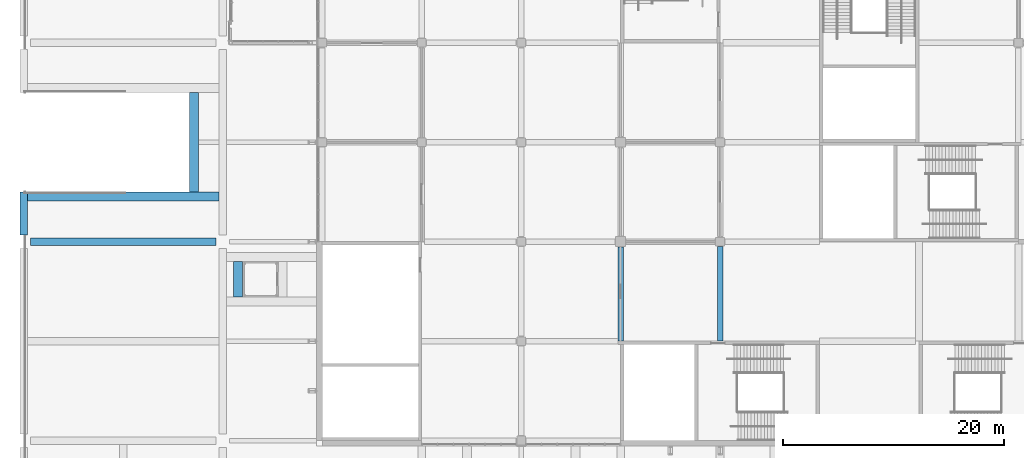
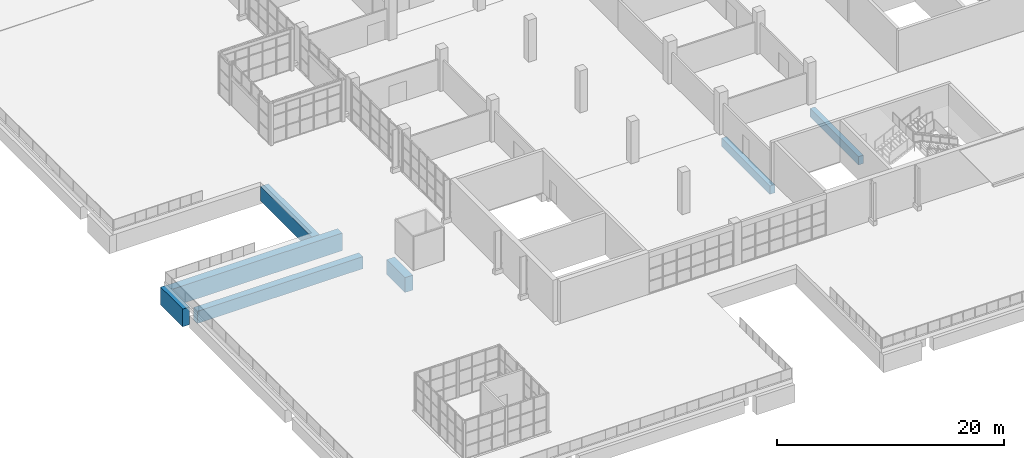
# One storey, part 20 of 168: 7 beams.
"""IFC4 building model written with IfcOpenShell, lengths in metres."""

from ifc_helpers import new_model, si_unit, direction, frame, origin, origin_2d, place, context, subcontext, project, spatial, rectangle, extrude, material, material_profile, profile_set, type_object, element, save


model = new_model("IFC4")

# Units and contexts
model_context = context("Model", 3, precision=1e-05, world=origin(), true_north=direction((0.0, 1.0)))
body_context = subcontext(model_context, "Body", "Model", "MODEL_VIEW")
ifc_project = project(units=[si_unit("LENGTHUNIT", "METRE"), si_unit("AREAUNIT", "SQUARE_METRE"), si_unit("VOLUMEUNIT", "CUBIC_METRE"), si_unit("PLANEANGLEUNIT", "RADIAN"), si_unit("MASSUNIT", "GRAM", prefix="KILO")], contexts=[model_context])

# Site, building, storey
site_placement = place(None, origin())
site = spatial("IfcSite", under=ifc_project, at=site_placement, CompositionType="ELEMENT")
building_placement = place(site_placement, origin())
building = spatial("IfcBuilding", under=site, at=building_placement, Name="Silverbay Arena", CompositionType="ELEMENT")
storey_placement = place(building_placement, frame((0.0, 0.0, 7.0)))
storey = spatial("IfcBuildingStorey", under=building, at=storey_placement, Name="L01", CompositionType="ELEMENT", Elevation=7.0)

# Beams
ifc_material_1 = material(Name="Concrete Grade C45", Category="concrete")
ifc_material_profile_1 = material_profile(ifc_material_1, rectangle(XDim=0.5, YDim=0.89990234375, at=origin_2d()), Name="RC 500x900")
ifc_profile_set_1 = profile_set([ifc_material_profile_1], Name="Concrete Grade C45")
beam_type_1 = type_object("IfcBeamType", Name="RC beam 500x900", PredefinedType="BEAM", material=ifc_profile_set_1)
beam_1_placement = place(storey_placement, frame((54.0, 27.0, -0.800048828125), z_axis=(0.0, 1.0, 0.0), x_axis=(-1.0, 0.0, 0.0)))
element("IfcBeam", 1, at=beam_1_placement, inside=storey, type_object=beam_type_1, Name="Floor beam L01 215", PredefinedType="BEAM", context=body_context, shape_type="SweptSolid", body=[
    extrude(rectangle(XDim=0.5, YDim=0.89990234375, at=origin_2d()), origin(), (0.0, 0.0, 1.0), 8.5),
])
beam_2_placement = place(storey_placement, frame((63.0, 27.0, -0.800048828125), z_axis=(0.0, 1.0, 0.0), x_axis=(-1.0, 0.0, 0.0)))
element("IfcBeam", 2, at=beam_2_placement, inside=storey, type_object=beam_type_1, Name="Floor beam L01 223", PredefinedType="BEAM", context=body_context, shape_type="SweptSolid", body=[
    extrude(rectangle(XDim=0.5, YDim=0.89990234375, at=origin_2d()), origin(), (0.0, 0.0, 1.0), 8.550048828125),
])
ifc_material_2 = material(Name="Concrete Grade C45", Category="concrete")
ifc_material_profile_2 = material_profile(ifc_material_2, rectangle(XDim=0.699951171875, YDim=1.89990234375, at=origin_2d()), Name="RC 700x1900")
ifc_profile_set_2 = profile_set([ifc_material_profile_2], Name="Concrete Grade C45")
beam_type_2 = type_object("IfcBeamType", Name="RC deck edge girder 700x1900", PredefinedType="BEAM", material=ifc_profile_set_2)
beam_3_placement = place(storey_placement, frame((0.0, 36.60009765625, -1.39990234375), z_axis=(0.0, 1.0, 0.0), x_axis=(-1.0, 0.0, 0.0)))
element("IfcBeam", 3, at=beam_3_placement, inside=storey, type_object=beam_type_2, Name="Deck girder 139", PredefinedType="BEAM", context=body_context, shape_type="SweptSolid", body=[
    extrude(rectangle(XDim=0.699951171875, YDim=1.89990234375, at=origin_2d()), origin(), (0.0, 0.0, 1.0), 3.89990234375),
])
ifc_material_3 = material(Name="Concrete Grade C45", Category="concrete")
ifc_material_profile_3 = material_profile(ifc_material_3, rectangle(XDim=0.699951171875, YDim=1.300048828125, at=origin_2d()), Name="RC 700x1300")
ifc_profile_set_3 = profile_set([ifc_material_profile_3], Name="Concrete Grade C45")
beam_type_3 = type_object("IfcBeamType", Name="RC girder 700x1300", PredefinedType="BEAM", material=ifc_profile_set_3)
beam_4_placement = place(storey_placement, frame((0.60009765625, 36.0, -1.10009765625), z_axis=(1.0, 0.0, 0.0), x_axis=(0.0, 1.0, 0.0)))
element("IfcBeam", 4, at=beam_4_placement, inside=storey, type_object=beam_type_3, Name="Deck row beam 071", PredefinedType="BEAM", context=body_context, shape_type="SweptSolid", body=[
    extrude(rectangle(XDim=0.699951171875, YDim=1.300048828125, at=origin_2d()), origin(), (0.0, 0.0, 1.0), 16.7998046875),
])
ifc_material_4 = material(Name="Concrete Grade C45", Category="concrete")
ifc_material_profile_4 = material_profile(ifc_material_4, rectangle(XDim=0.800048828125, YDim=1.60009765625, at=origin_2d()), Name="RC 800x1600")
ifc_profile_set_4 = profile_set([ifc_material_profile_4], Name="Concrete Grade C45")
beam_type_4 = type_object("IfcBeamType", Name="RC trimmer beam 800x1600", PredefinedType="BEAM", material=ifc_profile_set_4)
beam_5_placement = place(storey_placement, frame((15.409912109375, 40.489990234375, -1.25), z_axis=(0.0, 1.0, 0.0), x_axis=(-1.0, 0.0, 0.0)))
element("IfcBeam", 5, at=beam_5_placement, inside=storey, type_object=beam_type_4, Name="Deck head trimmer 049", PredefinedType="BEAM", context=body_context, shape_type="SweptSolid", body=[
    extrude(rectangle(XDim=0.800048828125, YDim=1.60009765625, at=origin_2d()), origin(), (0.0, 0.0, 1.0), 9.02001953125),
])
beam_6_placement = place(storey_placement, frame((19.389892578125, 30.989990234375, -1.25), z_axis=(0.0, 1.0, 0.0), x_axis=(-1.0, 0.0, 0.0)))
element("IfcBeam", 6, at=beam_6_placement, inside=storey, type_object=beam_type_4, Name="Deck head trimmer 061", PredefinedType="BEAM", context=body_context, shape_type="SweptSolid", body=[
    extrude(rectangle(XDim=0.800048828125, YDim=1.60009765625, at=origin_2d()), origin(), (0.0, 0.0, 1.0), 3.219970703125),
])
ifc_material_5 = material(Name="Concrete Grade C45", Category="concrete")
ifc_material_profile_5 = material_profile(ifc_material_5, rectangle(XDim=0.800048828125, YDim=1.89990234375, at=origin_2d()), Name="RC 800x1900")
ifc_profile_set_5 = profile_set([ifc_material_profile_5], Name="Concrete Grade C45")
beam_type_5 = type_object("IfcBeamType", Name="RC trimmer girder 800x1900", PredefinedType="BEAM", material=ifc_profile_set_5)
beam_7_placement = place(storey_placement, frame((0.35009765625, 40.090087890625, -1.39990234375), z_axis=(1.0, 0.0, 0.0), x_axis=(0.0, 1.0, 0.0)))
element("IfcBeam", 7, at=beam_7_placement, inside=storey, type_object=beam_type_5, Name="Deck trimmer 047", PredefinedType="BEAM", context=body_context, shape_type="SweptSolid", body=[
    extrude(rectangle(XDim=0.800048828125, YDim=1.89990234375, at=origin_2d()), origin(), (0.0, 0.0, 1.0), 17.2998046875),
])

save(model, "model.ifc")
